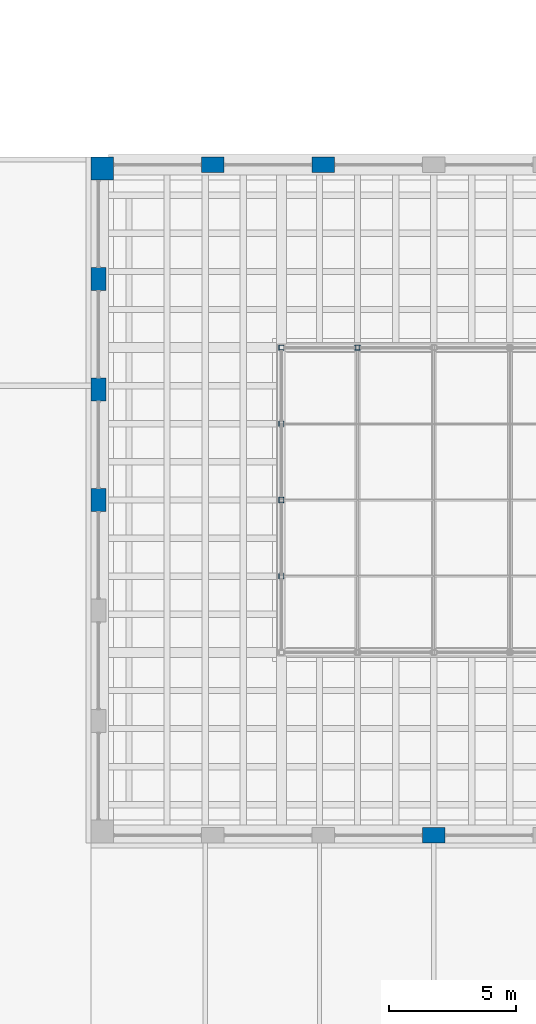
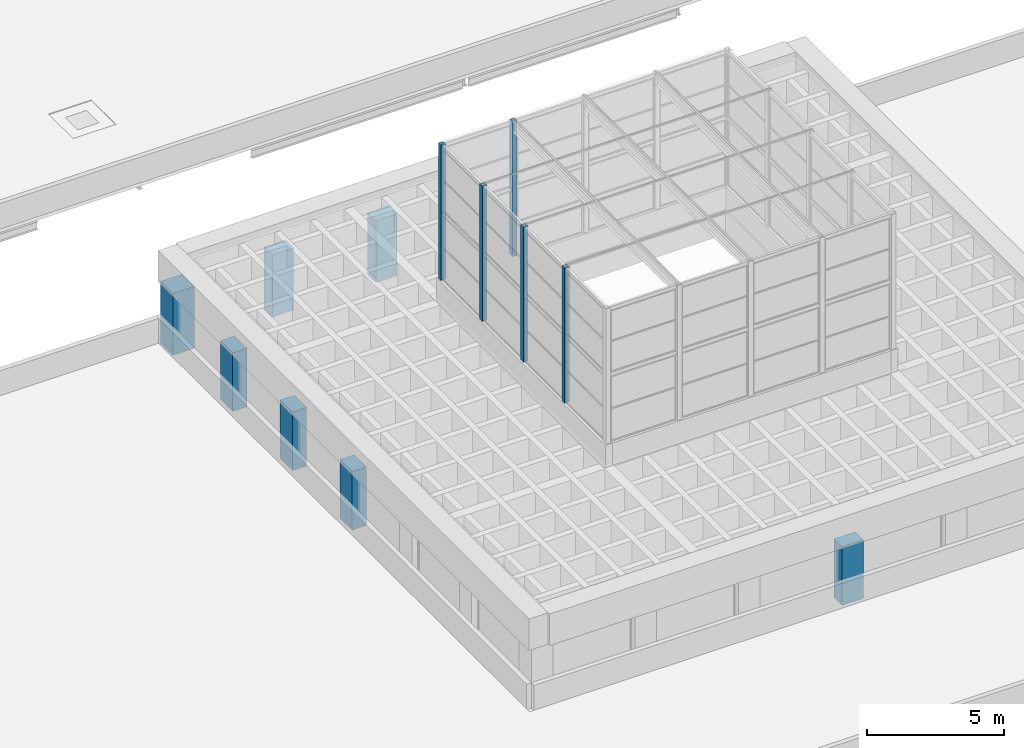
# One storey, part 3 of 50: 12 columns.
"""IFC4 building model written with IfcOpenShell, lengths in metres."""

import ifcopenshell
import ifcopenshell.guid

model = None  # the IFC model being written
_history = None  # IfcOwnerHistory: only IFC2X3 demands one
_inside = {}  # id of a spatial element -> (the spatial element, [elements in it])
_under = {}  # id of a project, library or spatial element -> (it, [spatial elements below it])
_declared = {}  # id of a project -> (the project, [libraries it declares])
_typed = {}  # id of a type object -> (the type object, [elements of that type])
_made_of = {}  # id of a material, layer set ... -> (it, [elements and type objects made of it])


def new_model(schema):
    """Start an empty IFC model of exactly this schema.

    Asked for "IFC4X3", IfcOpenShell would pick the latest addendum, in which some entities
    have other attributes; the version numbers below select the first issue.
    IFC2X3 requires an IfcOwnerHistory on every rooted entity: one is made here for all.
    """
    global model, _history
    if schema == "IFC4X3":
        model = ifcopenshell.file(schema_version=(4, 3, 0, 0))
    else:
        model = ifcopenshell.file(schema=schema)
    _inside.clear()
    _under.clear()
    _declared.clear()
    _typed.clear()
    _made_of.clear()
    _history = None
    if model.schema == "IFC2X3":
        org = make("IfcOrganization", Name="unknown")
        user = make(
            "IfcPersonAndOrganization",
            ThePerson=make("IfcPerson", FamilyName="unknown"),
            TheOrganization=org,
        )
        app = make(
            "IfcApplication",
            ApplicationDeveloper=org,
            Version="unknown",
            ApplicationFullName="unknown",
            ApplicationIdentifier="unknown",
        )
        _history = make(
            "IfcOwnerHistory",
            OwningUser=user,
            OwningApplication=app,
            ChangeAction="ADDED",
            CreationDate=0,
        )
    return model


def make(cls, **values):
    """One entity of the class cls with the attributes given. An attribute that is None is left unset."""
    return model.create_entity(
        cls, **{name: value for name, value in values.items() if value is not None}
    )


def rooted(cls, **values):
    """An entity with a GlobalId (a new one), such as an element, a storey or a relation."""
    return make(cls, GlobalId=ifcopenshell.guid.new(), OwnerHistory=_history, **values)


def si_unit(unit_type, name, prefix=None):
    """IfcSIUnit, for example si_unit("LENGTHUNIT", "METRE", prefix="MILLI")."""
    return make("IfcSIUnit", UnitType=unit_type, Prefix=prefix, Name=name)


def assignment(units):
    """IfcUnitAssignment: the units of a project."""
    return None if units is None else make("IfcUnitAssignment", Units=units)


def point(xyz):
    """IfcCartesianPoint."""
    return None if xyz is None else make("IfcCartesianPoint", Coordinates=xyz)


def direction(xyz):
    """IfcDirection."""
    return None if xyz is None else make("IfcDirection", DirectionRatios=xyz)


def frame(location, z_axis=None, x_axis=None):
    """IfcAxis2Placement3D, a coordinate frame: its origin and axes. An axis left out is left unset."""
    return make(
        "IfcAxis2Placement3D",
        Location=point(location),
        Axis=direction(z_axis),
        RefDirection=direction(x_axis),
    )


def frame_2d(location, x_axis=None):
    """IfcAxis2Placement2D, a coordinate frame in the plane: its origin and x axis."""
    return make(
        "IfcAxis2Placement2D", Location=point(location), RefDirection=direction(x_axis)
    )


def origin():
    """The frame at (0, 0, 0) with its axes left unset."""
    return frame((0.0, 0.0, 0.0))


def origin_2d():
    """The frame at (0, 0) in the plane with its x axis left unset."""
    return frame_2d((0.0, 0.0))


def place(relative_to, where):
    """IfcLocalPlacement: puts the frame where relative to a parent placement (None: the world)."""
    return make(
        "IfcLocalPlacement", PlacementRelTo=relative_to, RelativePlacement=where
    )


def context(
    kind, dimensions, precision=None, world=None, true_north=None, identifier=None
):
    """IfcGeometricRepresentationContext, for example the 3D "Model" context."""
    return make(
        "IfcGeometricRepresentationContext",
        ContextIdentifier=identifier,
        ContextType=kind,
        CoordinateSpaceDimension=dimensions,
        Precision=precision,
        WorldCoordinateSystem=world,
        TrueNorth=true_north,
    )


def subcontext(parent, identifier, kind, view, scale=None):
    """IfcGeometricRepresentationSubContext, for example "Body" below "Model"."""
    return make(
        "IfcGeometricRepresentationSubContext",
        ContextIdentifier=identifier,
        ContextType=kind,
        ParentContext=parent,
        TargetScale=scale,
        TargetView=view,
    )


def project(units=None, contexts=None):
    """IfcProject with its units and contexts."""
    return rooted(
        "IfcProject",
        Name="project",
        RepresentationContexts=contexts,
        UnitsInContext=assignment(units),
    )


def spatial(cls, under=None, at=None, **own):
    """A site, building, storey or space (cls), placed at a placement, below another one or the project."""
    s = rooted(cls, ObjectPlacement=at, **own)
    if under is not None:
        _under.setdefault(under.id(), (under, []))[1].append(s)
    return s


def profile(cls, at=None, kind="AREA", **sizes):
    """A parametric profile (cls). Its sizes go by their IFC names, for example OverallWidth=200.0."""
    return make(cls, ProfileType=kind, Position=at, **sizes)


def rectangle(**sizes):
    """IfcRectangleProfileDef."""
    return profile("IfcRectangleProfileDef", **sizes)


def hollow_rectangle(**sizes):
    """IfcRectangleHollowProfileDef."""
    return profile("IfcRectangleHollowProfileDef", **sizes)


def extrude(swept, where, along, depth):
    """IfcExtrudedAreaSolid: the profile swept, set in the frame where, extruded along a direction by depth."""
    return make(
        "IfcExtrudedAreaSolid",
        SweptArea=swept,
        Position=where,
        ExtrudedDirection=direction(along),
        Depth=depth,
    )


def shape(context_of_items, identifier, shape_type, items):
    """IfcShapeRepresentation: the items that make up one representation, for example the "Body"."""
    return make(
        "IfcShapeRepresentation",
        ContextOfItems=context_of_items,
        RepresentationIdentifier=identifier,
        RepresentationType=shape_type,
        Items=items,
    )


def material(Name=None, Category=None):
    """IfcMaterial."""
    return make("IfcMaterial", Name=Name, Category=Category)


def material_profile(
    of_material, cross_section, Name=None, Category=None, Priority=None
):
    """IfcMaterialProfile: a cross section and its material."""
    return make(
        "IfcMaterialProfile",
        Name=Name,
        Material=of_material,
        Profile=cross_section,
        Priority=Priority,
        Category=Category,
    )


def profile_set(profiles, Name=None, composite=None):
    """IfcMaterialProfileSet."""
    return make(
        "IfcMaterialProfileSet",
        Name=Name,
        MaterialProfiles=profiles,
        CompositeProfile=composite,
    )


def made_of(thing, what):
    """Note that an element or type object is made of a material, layer set ...; save() writes the relation."""
    if what is not None:
        _made_of.setdefault(what.id(), (what, []))[1].append(thing)
    return thing


def type_object(cls, material=None, **own):
    """A type object (cls), such as IfcWallType, which elements share."""
    return made_of(rooted(cls, **own), material)


def element(
    cls,
    number,
    at=None,
    inside=None,
    cuts=None,
    type_object=None,
    material=None,
    context=None,
    identifier="Body",
    shape_type=None,
    held_by="IfcProductDefinitionShape",
    body=None,
    shapes=None,
    **own,
):
    """One element of the class cls, such as IfcWall. Its Tag is "e" and its number.

    at: its placement. inside: the storey or other place that contains it. cuts: it is an
    opening in that element (IfcRelVoidsElement). A single representation is given by context,
    identifier, shape_type and body (its items); several are given by shapes. held_by: the class
    of the entity that holds the representations. save() writes the other relations.
    """
    e = rooted(cls, Tag="e%d" % number, ObjectPlacement=at, **own)
    if body is not None:
        shapes = [shape(context, identifier, shape_type, body)]
    if shapes is not None:
        e.Representation = make(held_by, Representations=shapes)
    if inside is not None:
        _inside.setdefault(inside.id(), (inside, []))[1].append(e)
    if cuts is not None:
        rooted(
            "IfcRelVoidsElement", RelatingBuildingElement=cuts, RelatedOpeningElement=e
        )
    if type_object is not None:
        _typed.setdefault(type_object.id(), (type_object, []))[1].append(e)
    return made_of(e, material)


def aggregate(whole, parts):
    """IfcRelAggregates: a whole, such as a stair, and the parts it consists of."""
    return rooted("IfcRelAggregates", RelatingObject=whole, RelatedObjects=parts)


def save(model, path):
    """Write the relations noted so far, then the file.

    IfcRelAggregates (storeys below a building ...), IfcRelContainedInSpatialStructure (elements
    in a storey), IfcRelDefinesByType, IfcRelAssociatesMaterial and IfcRelDeclares: one each for
    every whole, place, type object, material and project.
    """
    for whole, parts in _under.values():
        aggregate(whole, parts)
    for where, things in _inside.values():
        rooted(
            "IfcRelContainedInSpatialStructure",
            RelatedElements=things,
            RelatingStructure=where,
        )
    for kind, things in _typed.values():
        rooted("IfcRelDefinesByType", RelatedObjects=things, RelatingType=kind)
    for what, things in _made_of.values():
        rooted("IfcRelAssociatesMaterial", RelatedObjects=things, RelatingMaterial=what)
    for by, libraries in _declared.values():
        rooted("IfcRelDeclares", RelatingContext=by, RelatedDefinitions=libraries)
    model.write(path)


model = new_model("IFC4")

# Units and contexts
model_context = context("Model", 3, precision=1e-05, world=origin(), true_north=direction((0.0, 1.0)))
body_context = subcontext(model_context, "Body", "Model", "MODEL_VIEW")
ifc_project = project(units=[si_unit("LENGTHUNIT", "METRE"), si_unit("AREAUNIT", "SQUARE_METRE"), si_unit("VOLUMEUNIT", "CUBIC_METRE"), si_unit("PLANEANGLEUNIT", "RADIAN"), si_unit("MASSUNIT", "GRAM", prefix="KILO")], contexts=[model_context])

# Site, building, storey
site_placement = place(None, origin())
site = spatial("IfcSite", under=ifc_project, at=site_placement, CompositionType="ELEMENT")
building_placement = place(site_placement, origin())
building = spatial("IfcBuilding", under=site, at=building_placement, Name="Corbel Yard City Hall", CompositionType="ELEMENT")
storey_placement = place(building_placement, frame((0.0, 0.0, 15.0)))
storey = spatial("IfcBuildingStorey", under=building, at=storey_placement, Name="L03", CompositionType="ELEMENT", Elevation=15.0)

# Columns
ifc_material_1 = material(Name="Concrete N50 (50 MPa)", Category="concrete")
ifc_material_profile_1 = material_profile(ifc_material_1, rectangle(XDim=0.89990234375, YDim=0.89990234375, at=origin_2d()), Name="900x900")
ifc_profile_set_1 = profile_set([ifc_material_profile_1], Name="Concrete N50 (50 MPa)")
column_type_1 = type_object("IfcColumnType", Name="Drum corner pier RC 900X900", PredefinedType="COLUMN", material=ifc_profile_set_1)
column_placement = place(storey_placement, frame((117.449951171875, 80.550048828125, -0.14990234375), z_axis=(0.0, 0.0, 1.0), x_axis=(1.0, 0.0, 0.0)))
element("IfcColumn", 1, at=column_placement, inside=storey, type_object=column_type_1, Name="Chamber drum pier RC 900X900 DP1", PredefinedType="COLUMN", context=body_context, shape_type="SweptSolid", body=[
    extrude(rectangle(XDim=0.89990234375, YDim=0.89990234375, at=origin_2d()), origin(), (0.0, 0.0, 1.0), 2.75),
])
ifc_material_profile_2 = material_profile(ifc_material_1, rectangle(XDim=0.60009765625, YDim=0.89990234375, at=origin_2d()), Name="600x900")
ifc_profile_set_2 = profile_set([ifc_material_profile_2], Name="Concrete N50 (50 MPa)")
column_type_2 = type_object("IfcColumnType", Name="Drum pier RC 600X900", PredefinedType="COLUMN", material=ifc_profile_set_2)
for number, where, z_axis, x_axis, name in (
    (2, (121.800048828125, 80.699951171875, -0.14990234375), (0.0, 0.0, 1.0), (0.0, 1.0, 0.0), "Chamber drum pier RC 600X900 DP2"),
    (3, (126.14990234375, 80.699951171875, -0.14990234375), (0.0, 0.0, 1.0), (0.0, 1.0, 0.0), "Chamber drum pier RC 600X900 DP2"),
):
    element("IfcColumn", number, at=place(storey_placement, frame(where, z_axis=z_axis, x_axis=x_axis)), inside=storey, type_object=column_type_2, Name=name, PredefinedType="COLUMN", context=body_context, shape_type="SweptSolid", body=[
        extrude(rectangle(XDim=0.60009765625, YDim=0.89990234375, at=origin_2d()), origin(), (0.0, 0.0, 1.0), 2.75),
    ])
for number, where, z_axis, x_axis, name in (
    (4, (130.5, 54.300048828125, 0.0), (0.0, 0.0, 1.0), (0.0, 1.0, 0.0), "Chamber drum pier RC 600X900 DP2"),
    (5, (117.300048828125, 67.5, 0.0), (0.0, 0.0, 1.0), (1.0, 0.0, 0.0), "Chamber drum pier RC 600X900 DP2"),
    (6, (117.300048828125, 71.85009765625, 0.0), (0.0, 0.0, 1.0), (1.0, 0.0, 0.0), "Chamber drum pier RC 600X900 DP2"),
    (7, (117.300048828125, 76.199951171875, 0.0), (0.0, 0.0, 1.0), (1.0, 0.0, 0.0), "Chamber drum pier RC 600X900 DP2"),
):
    element("IfcColumn", number, at=place(storey_placement, frame(where, z_axis=z_axis, x_axis=x_axis)), inside=storey, type_object=column_type_2, Name=name, PredefinedType="COLUMN", context=body_context, shape_type="SweptSolid", body=[
        extrude(rectangle(XDim=0.60009765625, YDim=0.89990234375, at=origin_2d()), origin(), (0.0, 0.0, 1.0), 2.60009765625),
    ])
ifc_material_2 = material(Name="Steel Grade C450L0", Category="steel")
ifc_material_profile_3 = material_profile(ifc_material_2, hollow_rectangle(XDim=0.199951171875, YDim=0.199951171875, WallThickness=0.009033203125, at=origin_2d()), Name="200x200x9.0SHS")
ifc_profile_set_3 = profile_set([ifc_material_profile_3], Name="Steel Grade C450L0")
column_type_3 = type_object("IfcColumnType", Name="Lantern column 200x200x9.0SHS", PredefinedType="COLUMN", material=ifc_profile_set_3)
for number, where, z_axis, x_axis, name in (
    (8, (124.5, 73.5, 4.64990234375), (0.0, 0.0, 1.0), (1.0, 0.0, 0.0), "Lantern column 200x200x9.0SHS SC9"),
    (9, (127.5, 73.5, 4.64990234375), (0.0, 0.0, 1.0), (1.0, 0.0, 0.0), "Lantern column 200x200x9.0SHS SC9"),
    (10, (124.5, 64.5, 4.64990234375), (0.0, 0.0, 1.0), (1.0, 0.0, 0.0), "Lantern column 200x200x9.0SHS SC9"),
    (11, (124.5, 67.5, 4.64990234375), (0.0, 0.0, 1.0), (1.0, 0.0, 0.0), "Lantern column 200x200x9.0SHS SC9"),
    (12, (124.5, 70.5, 4.64990234375), (0.0, 0.0, 1.0), (1.0, 0.0, 0.0), "Lantern column 200x200x9.0SHS SC9"),
):
    element("IfcColumn", number, at=place(storey_placement, frame(where, z_axis=z_axis, x_axis=x_axis)), inside=storey, type_object=column_type_3, Name=name, PredefinedType="COLUMN", context=body_context, shape_type="SweptSolid", body=[
        extrude(hollow_rectangle(XDim=0.199951171875, YDim=0.199951171875, WallThickness=0.009033203125, at=origin_2d()), origin(), (0.0, 0.0, 1.0), 6.0),
    ])

save(model, "model.ifc")
